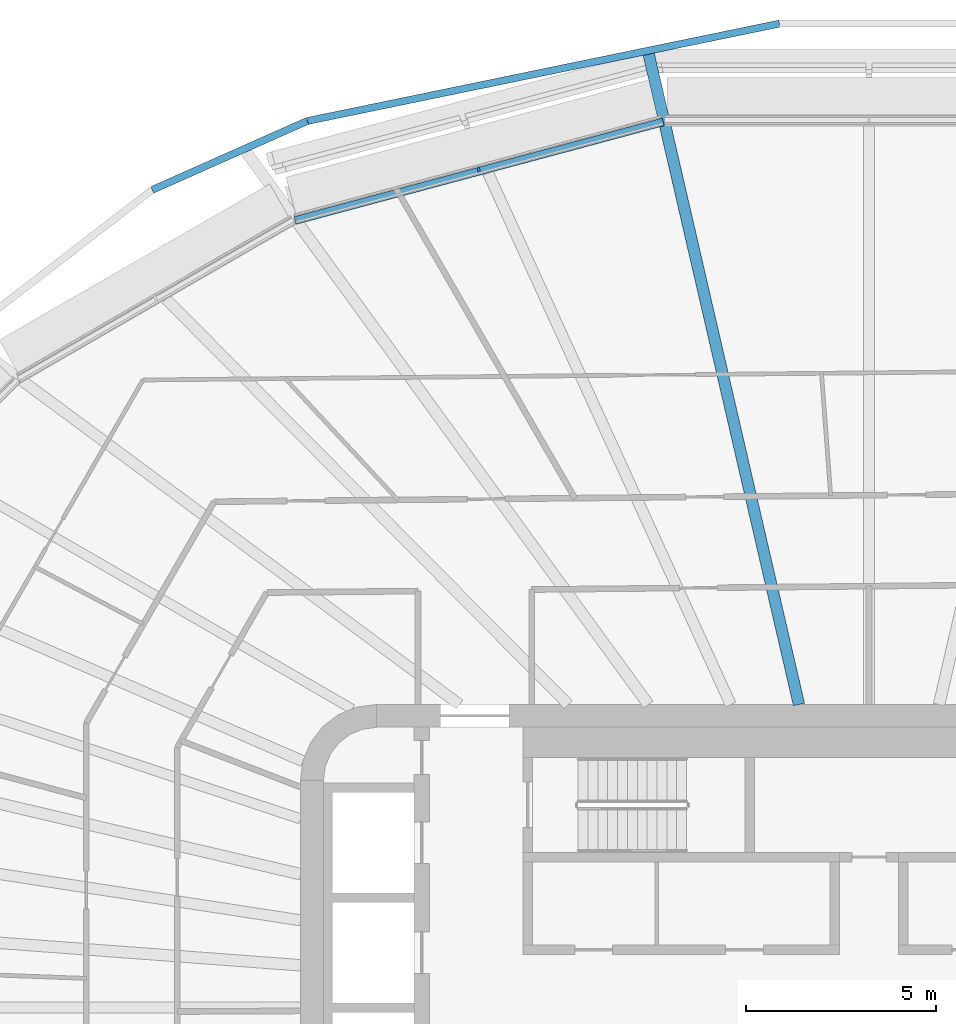
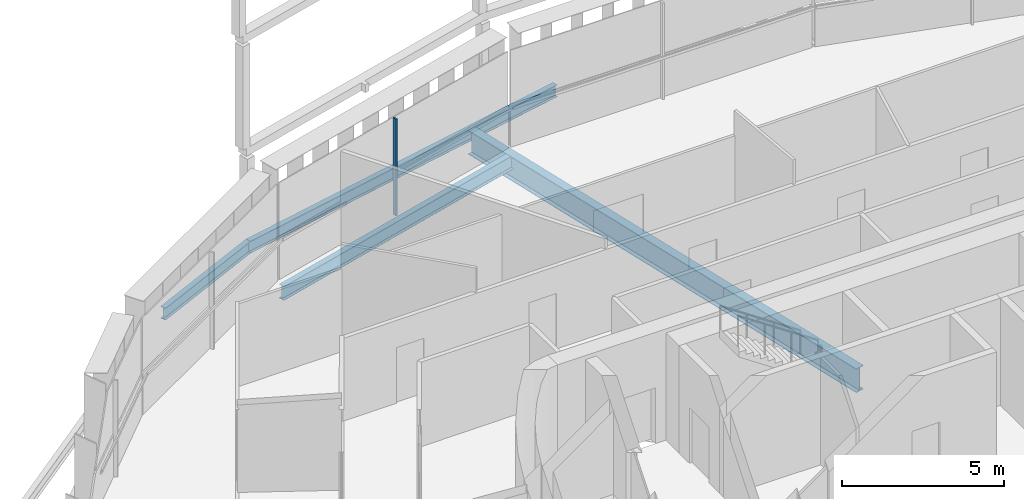
# One storey, part 8 of 28: 4 beams, 1 member, 1 element without a shape of its own.
"""IFC4 building model written with IfcOpenShell, lengths in metres."""

from ifc_helpers import new_model, si_unit, direction, frame, origin, origin_2d, place, context, subcontext, project, spatial, rectangle, i_section, extrude, material, layer, layer_set, material_profile, profile_set, type_object, element, aggregate, save


model = new_model("IFC4")

# Units and contexts
model_context = context("Model", 3, precision=1e-05, world=origin(), true_north=direction((0.0, 1.0)))
body_context = subcontext(model_context, "Body", "Model", "MODEL_VIEW")
ifc_project = project(units=[si_unit("LENGTHUNIT", "METRE"), si_unit("AREAUNIT", "SQUARE_METRE"), si_unit("VOLUMEUNIT", "CUBIC_METRE"), si_unit("PLANEANGLEUNIT", "RADIAN"), si_unit("MASSUNIT", "GRAM", prefix="KILO")], contexts=[model_context])

# Site, building, storey
site_placement = place(None, origin())
site = spatial("IfcSite", under=ifc_project, at=site_placement, CompositionType="ELEMENT")
building_placement = place(site_placement, origin())
building = spatial("IfcBuilding", under=site, at=building_placement, Name="Sahrelin Media Tower", CompositionType="ELEMENT")
storey_placement = place(building_placement, frame((0.0, 0.0, 75.60009765625)))
storey = spatial("IfcBuildingStorey", under=building, at=storey_placement, Name="L13", CompositionType="ELEMENT", Elevation=75.60009765625)

# Beam
ifc_material_1 = material(Name="Steel S355", Category="steel")
ifc_material_profile_1 = material_profile(ifc_material_1, i_section(OverallWidth=0.208740234375, OverallDepth=0.5283203125, WebThickness=0.009521484375, FlangeThickness=0.01318359375, FilletRadius=0.0126953125, at=origin_2d()), Name="UB 533x210x82")
ifc_profile_set_1 = profile_set([ifc_material_profile_1], Name="Steel S355")
beam_type_1 = type_object("IfcBeamType", Name="Edge beam EB6", PredefinedType="BEAM", material=ifc_profile_set_1)
beam_1_placement = place(storey_placement, frame((-15.144775390625, 20.767822265625, -0.414306640625), z_axis=(0.965926812337, 0.258815365093, 0.0), x_axis=(-0.258815365093, 0.965926812337, 0.0)))
element("IfcBeam", 1, at=beam_1_placement, inside=storey, type_object=beam_type_1, Name="Edge beam L13-17", PredefinedType="BEAM", context=body_context, shape_type="SweptSolid", body=[
    extrude(i_section(OverallWidth=0.208740234375, OverallDepth=0.5283203125, WebThickness=0.009521484375, FlangeThickness=0.01318359375, FilletRadius=0.0126953125, at=origin_2d()), origin(), (0.0, 0.0, 1.0), 10.056640625),
])

# Curtain wall, member
ifc_material_2 = material(Name="Champagne anodised aluminium 6063-T6", Category="aluminium")
ifc_layer = layer(ifc_material_2, 0.14990234375)
ifc_layer_set = layer_set([ifc_layer], Name="Tower ribbon curtain wall")
curtain_wall_type = type_object("IfcCurtainWallType", Name="Tower ribbon curtain wall", PredefinedType="NOTDEFINED", material=ifc_layer_set)
curtain_wall_placement = place(storey_placement, frame((-10.32666015625, 22.214111328125, 0.0), z_axis=(0.0, 0.0, 1.0), x_axis=(1.0, 0.0, 0.0)))
curtain_wall = element("IfcCurtainWall", 2, at=curtain_wall_placement, inside=storey, type_object=curtain_wall_type, Name="L13:CW:L13-07", PredefinedType="NOTDEFINED")
ifc_material_profile_2 = material_profile(ifc_material_2, rectangle(XDim=0.06005859375, YDim=0.14990234375, at=origin_2d()), Name="Mullion 60x150")
ifc_profile_set_2 = profile_set([ifc_material_profile_2], Name="Champagne anodised aluminium 6063-T6")
member_type = type_object("IfcMemberType", Name="Mullion 60x150 CW1", PredefinedType="MULLION", material=ifc_profile_set_2)
member_placement = place(storey_placement, frame((-10.302001953125, 22.122314453125, 0.0), z_axis=(0.0, 0.0, 1.0), x_axis=(-0.965924922834, -0.258822416818, 0.0)))
member = element("IfcMember", 3, at=member_placement, type_object=member_type, Name="L13:CWM:L13-07", PredefinedType="MULLION", context=body_context, shape_type="SweptSolid", body=[
    extrude(rectangle(XDim=0.06005859375, YDim=0.14990234375, at=origin_2d()), origin(), (0.0, 0.0, 1.0), 3.6484375),
])
aggregate(curtain_wall, [member])

# Beams
ifc_material_profile_3 = material_profile(ifc_material_1, i_section(OverallWidth=0.30322265625, OverallDepth=0.903076171875, WebThickness=0.01513671875, FlangeThickness=0.020263671875, FilletRadius=0.01904296875, at=origin_2d()), Name="UB 914x305x201")
ifc_profile_set_3 = profile_set([ifc_material_profile_3], Name="Steel S355")
beam_type_2 = type_object("IfcBeamType", Name="Radial primary beam PB11", PredefinedType="BEAM", material=ifc_profile_set_3)
beam_2_placement = place(storey_placement, frame((-1.848876953125, 8.0, -0.6015625), z_axis=(-0.22515720883, 0.9743224473, 0.0), x_axis=(-0.9743224473, -0.22515720883, 0.0)))
element("IfcBeam", 4, at=beam_2_placement, inside=storey, type_object=beam_type_2, Name="Radial beam L13-07", PredefinedType="BEAM", context=body_context, shape_type="SweptSolid", body=[
    extrude(i_section(OverallWidth=0.30322265625, OverallDepth=0.903076171875, WebThickness=0.01513671875, FlangeThickness=0.020263671875, FilletRadius=0.01904296875, at=origin_2d()), origin(), (0.0, 0.0, 1.0), 17.608154296875),
])
ifc_material_profile_4 = material_profile(ifc_material_1, i_section(OverallWidth=0.1904296875, OverallDepth=0.45703125, WebThickness=0.009033203125, FlangeThickness=0.014404296875, FilletRadius=0.01025390625, at=origin_2d()), Name="UB 457x191x74")
ifc_profile_set_4 = profile_set([ifc_material_profile_4], Name="Steel S355")
beam_type_3 = type_object("IfcBeamType", Name="Tie chord TC5", PredefinedType="BEAM", material=ifc_profile_set_4)
beam_3_placement = place(storey_placement, frame((-2.3623046875, 25.96484375, -0.378662109375), z_axis=(-0.979386410906, -0.201995688401, 0.0), x_axis=(0.201995688401, -0.979386410906, 0.0)))
element("IfcBeam", 5, at=beam_3_placement, inside=storey, type_object=beam_type_3, Name="Tie chord L13-07", PredefinedType="BEAM", context=body_context, shape_type="SweptSolid", body=[
    extrude(i_section(OverallWidth=0.1904296875, OverallDepth=0.45703125, WebThickness=0.009033203125, FlangeThickness=0.014404296875, FilletRadius=0.01025390625, at=origin_2d()), origin(), (0.0, 0.0, 1.0), 12.720947265625),
])
beam_4_placement = place(storey_placement, frame((-14.821044921875, 23.395263671875, -0.378662109375), z_axis=(-0.913840777951, -0.406072693681, 0.0), x_axis=(0.406072693681, -0.913840777951, 0.0)))
element("IfcBeam", 6, at=beam_4_placement, inside=storey, type_object=beam_type_3, Name="Tie chord L13-08", PredefinedType="BEAM", context=body_context, shape_type="SweptSolid", body=[
    extrude(i_section(OverallWidth=0.1904296875, OverallDepth=0.45703125, WebThickness=0.009033203125, FlangeThickness=0.014404296875, FilletRadius=0.01025390625, at=origin_2d()), origin(), (0.0, 0.0, 1.0), 4.477294921875),
])

save(model, "model.ifc")
